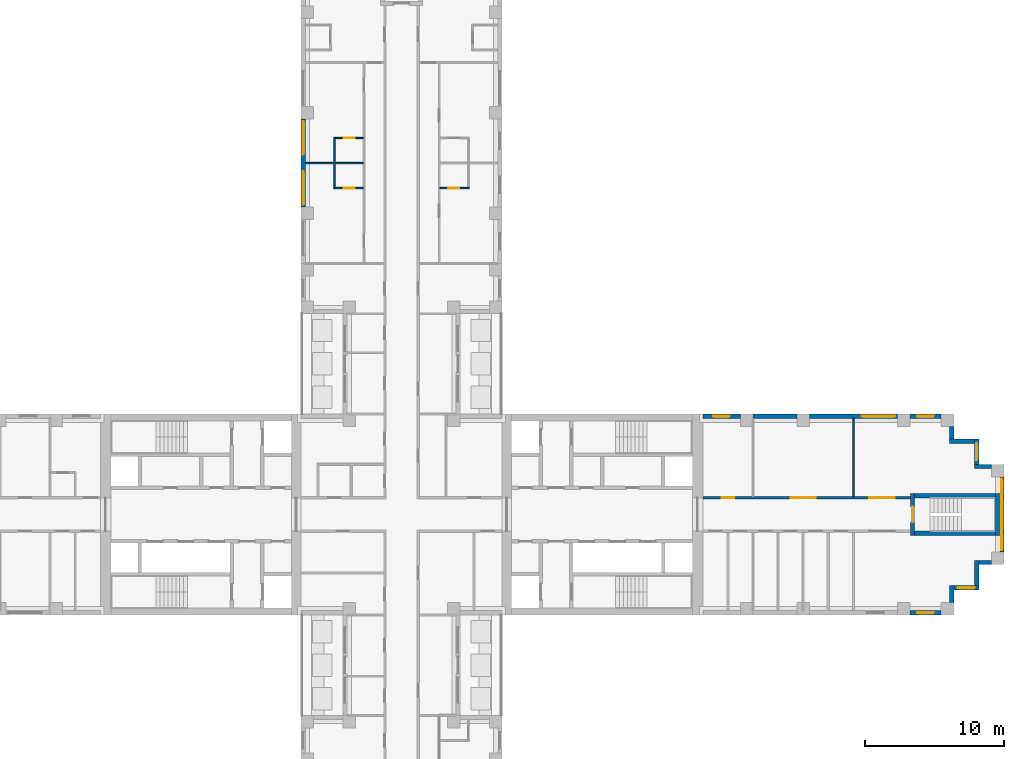
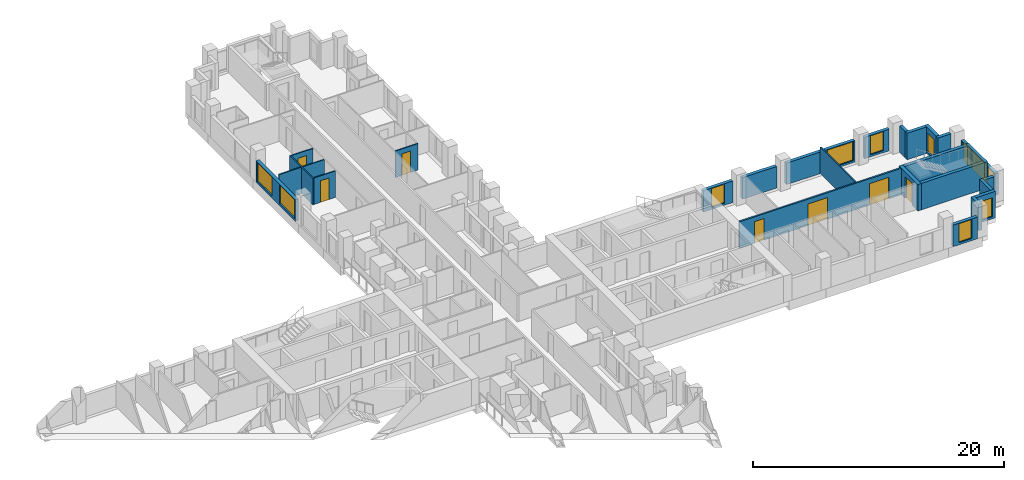
# One storey, part 11 of 16: 26 walls, 11 windows, 7 doors, 18 openings.
"""IFC4 building model written with IfcOpenShell, lengths in metres."""

from ifc_helpers import new_model, si_unit, direction, frame, frame_2d, origin, place, context, subcontext, project, spatial, rectangle, extrude, material, layer, layer_set, type_object, element, fill, save


model = new_model("IFC4")

# Units and contexts
model_context = context("Model", 3, precision=1e-05, world=origin(), true_north=direction((0.0, 1.0)))
body_context = subcontext(model_context, "Body", "Model", "MODEL_VIEW")
ifc_project = project(units=[si_unit("LENGTHUNIT", "METRE"), si_unit("AREAUNIT", "SQUARE_METRE"), si_unit("VOLUMEUNIT", "CUBIC_METRE"), si_unit("PLANEANGLEUNIT", "RADIAN"), si_unit("MASSUNIT", "GRAM", prefix="KILO")], contexts=[model_context])

# Site, building, storey
site_placement = place(None, origin())
site = spatial("IfcSite", under=ifc_project, at=site_placement, CompositionType="ELEMENT")
building_placement = place(site_placement, origin())
building = spatial("IfcBuilding", under=site, at=building_placement, Name="Fustian Cross Tower", CompositionType="ELEMENT")
storey_placement = place(building_placement, frame((0.0, 0.0, 26.699951171875)))
storey = spatial("IfcBuildingStorey", under=building, at=storey_placement, Name="L07", CompositionType="ELEMENT", Elevation=26.699951171875)

# Wall, openings, doors
ifc_material_1 = material(Name="Plasterboard on steel stud", Category="steel")
ifc_layer_1 = layer(ifc_material_1, 0.14990234375)
ifc_layer_set_1 = layer_set([ifc_layer_1], Name="Plasterboard on steel stud")
wall_type_1 = type_object("IfcWallType", Name="COMPARTMENT WALL 150 EI 60", PredefinedType="PARTITIONING", material=ifc_layer_set_1)
wall_1_placement = place(storey_placement, frame((21.60009765625, 1.199951171875, 0.0), z_axis=(0.0, 0.0, 1.0), x_axis=(1.0, 0.0, 0.0)))
wall_1 = element("IfcWall", 1, at=wall_1_placement, inside=storey, type_object=wall_type_1, Name="Partition 93", PredefinedType="PARTITIONING", context=body_context, shape_type="SweptSolid", body=[
    extrude(rectangle(XDim=14.89990234375, YDim=0.14990234375, at=frame_2d((7.449951171875, 0.0))), origin(), (0.0, 0.0, 1.0), 2.574951171875),
])
opening_1_placement = place(wall_1_placement, frame((1.35009765625, 0.0, 0.0)))
opening_1 = element("IfcOpeningElement", 2, at=opening_1_placement, cuts=wall_1, Name="Opening D05010", PredefinedType="OPENING", context=body_context, shape_type="SweptSolid", body=[
    extrude(rectangle(XDim=0.89990234375, YDim=2.10009765625, at=frame_2d((0.449951171875, 1.050048828125))), frame((0.0, 0.0849609375, 0.0), z_axis=(0.0, -1.0, 0.0), x_axis=(1.0, 0.0, 0.0)), (0.0, 0.0, 1.0), 0.169921875),
])
opening_2_placement = place(wall_1_placement, frame((6.300048828125, 0.0, 0.0)))
opening_2 = element("IfcOpeningElement", 3, at=opening_2_placement, cuts=wall_1, Name="Opening D05011", PredefinedType="OPENING", context=body_context, shape_type="SweptSolid", body=[
    extrude(rectangle(XDim=1.800048828125, YDim=2.10009765625, at=frame_2d((0.89990234375, 1.050048828125))), frame((0.0, 0.0849609375, 0.0), z_axis=(0.0, -1.0, 0.0), x_axis=(1.0, 0.0, 0.0)), (0.0, 0.0, 1.0), 0.169921875),
])
opening_3_placement = place(wall_1_placement, frame((11.949951171875, 0.0, 0.0)))
opening_3 = element("IfcOpeningElement", 4, at=opening_3_placement, cuts=wall_1, Name="Opening D05012", PredefinedType="OPENING", context=body_context, shape_type="SweptSolid", body=[
    extrude(rectangle(XDim=1.800048828125, YDim=2.10009765625, at=frame_2d((0.89990234375, 1.050048828125))), frame((0.0, 0.0849609375, 0.0), z_axis=(0.0, -1.0, 0.0), x_axis=(1.0, 0.0, 0.0)), (0.0, 0.0, 1.0), 0.169921875),
])
ifc_material_2 = material(Name="Timber fire door set", Category="wood")
door_type_1 = type_object("IfcDoorType", Name="FIRE DOUBLE DOOR 1800 FD30S", OperationType="DOUBLE_DOOR_DOUBLE_SWING", PredefinedType="DOOR", material=ifc_material_2)
door_1_placement = place(opening_2_placement, frame((1.800048828125, 0.0, 0.0), z_axis=(0.0, 0.0, 1.0), x_axis=(-1.0, 0.0, 0.0)))
door_1 = element("IfcDoor", 5, at=door_1_placement, inside=storey, type_object=door_type_1, Name="Door D05011", OperationType="DOUBLE_DOOR_DOUBLE_SWING", OverallHeight=2.10009765625, OverallWidth=1.800048828125, PredefinedType="DOOR", context=body_context, shape_type="SweptSolid", body=[
    extrude(rectangle(XDim=1.800048828125, YDim=2.10009765625, at=frame_2d((0.89990234375, 1.050048828125))), frame((0.0, 0.02490234375, 0.0), z_axis=(0.0, -1.0, 0.0), x_axis=(1.0, 0.0, 0.0)), (0.0, 0.0, 1.0), 0.050048828125),
])
fill(opening_2, door_1)
door_2_placement = place(opening_3_placement, frame((1.800048828125, 0.0, 0.0), z_axis=(0.0, 0.0, 1.0), x_axis=(-1.0, 0.0, 0.0)))
door_2 = element("IfcDoor", 6, at=door_2_placement, inside=storey, type_object=door_type_1, Name="Door D05012", OperationType="DOUBLE_DOOR_DOUBLE_SWING", OverallHeight=2.10009765625, OverallWidth=1.800048828125, PredefinedType="DOOR", context=body_context, shape_type="SweptSolid", body=[
    extrude(rectangle(XDim=1.800048828125, YDim=2.10009765625, at=frame_2d((0.89990234375, 1.050048828125))), frame((0.0, 0.02490234375, 0.0), z_axis=(0.0, -1.0, 0.0), x_axis=(1.0, 0.0, 0.0)), (0.0, 0.0, 1.0), 0.050048828125),
])
fill(opening_3, door_2)
ifc_material_3 = material(Name="Timber fire door set", Category="wood")
door_type_2 = type_object("IfcDoorType", Name="FIRE SWING DOOR 900 FD30S", OperationType="SINGLE_SWING_LEFT", PredefinedType="DOOR", material=ifc_material_3)
door_3_placement = place(opening_1_placement, origin())
door_3 = element("IfcDoor", 7, at=door_3_placement, inside=storey, type_object=door_type_2, Name="Door D05010", OperationType="SINGLE_SWING_LEFT", OverallHeight=2.10009765625, OverallWidth=0.89990234375, PredefinedType="DOOR", context=body_context, shape_type="SweptSolid", body=[
    extrude(rectangle(XDim=0.89990234375, YDim=2.10009765625, at=frame_2d((0.449951171875, 1.050048828125))), frame((0.0, 0.02490234375, 0.0), z_axis=(0.0, -1.0, 0.0), x_axis=(1.0, 0.0, 0.0)), (0.0, 0.0, 1.0), 0.050048828125),
])
fill(opening_1, door_3)

# Walls
ifc_material_4 = material(Name="Plasterboard on steel stud", Category="steel")
ifc_layer_2 = layer(ifc_material_4, 0.10009765625)
ifc_layer_set_2 = layer_set([ifc_layer_2], Name="Plasterboard on steel stud")
wall_type_2 = type_object("IfcWallType", Name="PARTITION 100 STUD", PredefinedType="PARTITIONING", material=ifc_layer_set_2)
wall_2_placement = place(storey_placement, frame((-6.89990234375, 25.199951171875, 0.0), z_axis=(0.0, 0.0, 1.0), x_axis=(1.0, 0.0, 0.0)))
element("IfcWall", 8, at=wall_2_placement, inside=storey, type_object=wall_type_2, Name="Partition 25", PredefinedType="PARTITIONING", context=body_context, shape_type="SweptSolid", body=[
    extrude(rectangle(XDim=4.14990234375, YDim=0.10009765625, at=frame_2d((2.074951171875, 0.0))), origin(), (0.0, 0.0, 1.0), 2.574951171875),
])
wall_3_placement = place(storey_placement, frame((-4.800048828125, 23.35009765625, 0.0), z_axis=(0.0, 0.0, 1.0), x_axis=(0.0, 1.0, 0.0)))
element("IfcWall", 9, at=wall_3_placement, inside=storey, type_object=wall_type_2, Name="Partition 39", PredefinedType="PARTITIONING", context=body_context, shape_type="SweptSolid", body=[
    extrude(rectangle(XDim=3.699951171875, YDim=0.10009765625, at=frame_2d((1.85009765625, 0.0))), origin(), (0.0, 0.0, 1.0), 2.574951171875),
])

# Wall, opening, door
wall_4_placement = place(storey_placement, frame((-4.75, 23.39990234375, 0.0), z_axis=(0.0, 0.0, 1.0), x_axis=(1.0, 0.0, 0.0)))
wall_4 = element("IfcWall", 10, at=wall_4_placement, inside=storey, type_object=wall_type_2, Name="Partition 40", PredefinedType="PARTITIONING", context=body_context, shape_type="SweptSolid", body=[
    extrude(rectangle(XDim=2.0, YDim=0.10009765625, at=frame_2d((1.0, 0.0))), origin(), (0.0, 0.0, 1.0), 2.574951171875),
])
opening_4_placement = place(wall_4_placement, frame((0.60009765625, 0.0, 0.0)))
opening_4 = element("IfcOpeningElement", 11, at=opening_4_placement, cuts=wall_4, Name="Opening D05028", PredefinedType="OPENING", context=body_context, shape_type="SweptSolid", body=[
    extrude(rectangle(XDim=0.800048828125, YDim=2.10009765625, at=frame_2d((0.39990234375, 1.050048828125))), frame((0.0, 0.06005859375, 0.0), z_axis=(0.0, -1.0, 0.0), x_axis=(1.0, 0.0, 0.0)), (0.0, 0.0, 1.0), 0.1201171875),
])
ifc_material_5 = material(Name="Painted timber", Category="wood")
door_type_3 = type_object("IfcDoorType", Name="SWING DOOR 800", OperationType="SINGLE_SWING_LEFT", PredefinedType="DOOR", material=ifc_material_5)
door_4_placement = place(opening_4_placement, origin())
door_4 = element("IfcDoor", 12, at=door_4_placement, inside=storey, type_object=door_type_3, Name="Door D05028", OperationType="SINGLE_SWING_LEFT", OverallHeight=2.10009765625, OverallWidth=0.800048828125, PredefinedType="DOOR", context=body_context, shape_type="SweptSolid", body=[
    extrude(rectangle(XDim=0.800048828125, YDim=2.10009765625, at=frame_2d((0.39990234375, 1.050048828125))), frame((0.0, 0.02490234375, 0.0), z_axis=(0.0, -1.0, 0.0), x_axis=(1.0, 0.0, 0.0)), (0.0, 0.0, 1.0), 0.050048828125),
])
fill(opening_4, door_4)

wall_5_placement = place(storey_placement, frame((-4.75, 27.0, 0.0), z_axis=(0.0, 0.0, 1.0), x_axis=(1.0, 0.0, 0.0)))
wall_5 = element("IfcWall", 13, at=wall_5_placement, inside=storey, type_object=wall_type_2, Name="Partition 41", PredefinedType="PARTITIONING", context=body_context, shape_type="SweptSolid", body=[
    extrude(rectangle(XDim=2.0, YDim=0.10009765625, at=frame_2d((1.0, 0.0))), origin(), (0.0, 0.0, 1.0), 2.574951171875),
])
opening_5_placement = place(wall_5_placement, frame((0.60009765625, 0.0, 0.0)))
opening_5 = element("IfcOpeningElement", 14, at=opening_5_placement, cuts=wall_5, Name="Opening D05029", PredefinedType="OPENING", context=body_context, shape_type="SweptSolid", body=[
    extrude(rectangle(XDim=0.800048828125, YDim=2.10009765625, at=frame_2d((0.39990234375, 1.050048828125))), frame((0.0, 0.06005859375, 0.0), z_axis=(0.0, -1.0, 0.0), x_axis=(1.0, 0.0, 0.0)), (0.0, 0.0, 1.0), 0.1201171875),
])
door_5_placement = place(opening_5_placement, frame((0.800048828125, 0.0, 0.0), z_axis=(0.0, 0.0, 1.0), x_axis=(-1.0, 0.0, 0.0)))
door_5 = element("IfcDoor", 15, at=door_5_placement, inside=storey, type_object=door_type_3, Name="Door D05029", OperationType="SINGLE_SWING_RIGHT", OverallHeight=2.10009765625, OverallWidth=0.800048828125, PredefinedType="DOOR", context=body_context, shape_type="SweptSolid", body=[
    extrude(rectangle(XDim=0.800048828125, YDim=2.10009765625, at=frame_2d((0.39990234375, 1.050048828125))), frame((0.0, 0.02490234375, 0.0), z_axis=(0.0, -1.0, 0.0), x_axis=(1.0, 0.0, 0.0)), (0.0, 0.0, 1.0), 0.050048828125),
])
fill(opening_5, door_5)

wall_6_placement = place(storey_placement, frame((2.75, 23.39990234375, 0.0), z_axis=(0.0, 0.0, 1.0), x_axis=(1.0, 0.0, 0.0)))
wall_6 = element("IfcWall", 16, at=wall_6_placement, inside=storey, type_object=wall_type_2, Name="Partition 76", PredefinedType="PARTITIONING", context=body_context, shape_type="SweptSolid", body=[
    extrude(rectangle(XDim=2.10009765625, YDim=0.10009765625, at=frame_2d((1.050048828125, 0.0))), origin(), (0.0, 0.0, 1.0), 2.574951171875),
])
opening_6_placement = place(wall_6_placement, frame((0.60009765625, 0.0, 0.0)))
opening_6 = element("IfcOpeningElement", 17, at=opening_6_placement, cuts=wall_6, Name="Opening D05037", PredefinedType="OPENING", context=body_context, shape_type="SweptSolid", body=[
    extrude(rectangle(XDim=0.800048828125, YDim=2.10009765625, at=frame_2d((0.39990234375, 1.050048828125))), frame((0.0, 0.06005859375, 0.0), z_axis=(0.0, -1.0, 0.0), x_axis=(1.0, 0.0, 0.0)), (0.0, 0.0, 1.0), 0.1201171875),
])
door_6_placement = place(opening_6_placement, origin())
door_6 = element("IfcDoor", 18, at=door_6_placement, inside=storey, type_object=door_type_3, Name="Door D05037", OperationType="SINGLE_SWING_LEFT", OverallHeight=2.10009765625, OverallWidth=0.800048828125, PredefinedType="DOOR", context=body_context, shape_type="SweptSolid", body=[
    extrude(rectangle(XDim=0.800048828125, YDim=2.10009765625, at=frame_2d((0.39990234375, 1.050048828125))), frame((0.0, 0.02490234375, 0.0), z_axis=(0.0, -1.0, 0.0), x_axis=(1.0, 0.0, 0.0)), (0.0, 0.0, 1.0), 0.050048828125),
])
fill(opening_6, door_6)

# Wall
wall_7_placement = place(storey_placement, frame((32.39990234375, 1.27490234375, 0.0), z_axis=(0.0, 0.0, 1.0), x_axis=(0.0, 1.0, 0.0)))
element("IfcWall", 19, at=wall_7_placement, inside=storey, type_object=wall_type_2, Name="Partition 101", PredefinedType="PARTITIONING", context=body_context, shape_type="SweptSolid", body=[
    extrude(rectangle(XDim=5.625, YDim=0.10009765625, at=frame_2d((2.8125, 0.0))), origin(), (0.0, 0.0, 1.0), 2.574951171875),
])

# Wall, opening, door
ifc_material_6 = material(Name="Concrete C50/60", Category="concrete")
ifc_layer_3 = layer(ifc_material_6, 0.300048828125)
ifc_layer_set_3 = layer_set([ifc_layer_3], Name="Concrete C50/60")
wall_type_3 = type_object("IfcWallType", Name="STAIR ENCLOSURE WALL 300 C50/60", PredefinedType="SHEAR", material=ifc_layer_set_3)
wall_8_placement = place(storey_placement, frame((36.64990234375, -1.5, 0.0), z_axis=(0.0, 0.0, 1.0), x_axis=(0.0, 1.0, 0.0)))
wall_8 = element("IfcWall", 20, at=wall_8_placement, inside=storey, type_object=wall_type_3, Name="Stair enclosure wall", PredefinedType="SHEAR", context=body_context, shape_type="SweptSolid", body=[
    extrude(rectangle(XDim=3.0, YDim=0.300048828125, at=frame_2d((1.5, 0.0))), origin(), (0.0, 0.0, 1.0), 2.574951171875),
])
opening_7_placement = place(wall_8_placement, frame((0.949951171875, 0.0, 0.0)))
opening_7 = element("IfcOpeningElement", 21, at=opening_7_placement, cuts=wall_8, Name="Opening CD-05-33", PredefinedType="OPENING", context=body_context, shape_type="SweptSolid", body=[
    extrude(rectangle(XDim=1.10009765625, YDim=2.10009765625, at=frame_2d((0.550048828125, 1.050048828125))), frame((0.0, 0.159912109375, 0.0), z_axis=(0.0, -1.0, 0.0), x_axis=(1.0, 0.0, 0.0)), (0.0, 0.0, 1.0), 0.320068359375),
])
ifc_material_7 = material(Name="Steel", Category="steel")
door_type_4 = type_object("IfcDoorType", Name="FIRE DOOR FD60S 1100X2100", OperationType="SINGLE_SWING_LEFT", PredefinedType="DOOR", material=ifc_material_7)
door_7_placement = place(opening_7_placement, frame((1.10009765625, 0.0, 0.0), z_axis=(0.0, 0.0, 1.0), x_axis=(-1.0, 0.0, 0.0)))
door_7 = element("IfcDoor", 22, at=door_7_placement, inside=storey, type_object=door_type_4, Name="Core door CD-05-33", OperationType="SINGLE_SWING_RIGHT", OverallHeight=2.10009765625, OverallWidth=1.10009765625, PredefinedType="DOOR", context=body_context, shape_type="SweptSolid", body=[
    extrude(rectangle(XDim=1.10009765625, YDim=2.10009765625, at=frame_2d((0.550048828125, 1.050048828125))), frame((0.0, 0.02490234375, 0.0), z_axis=(0.0, -1.0, 0.0), x_axis=(1.0, 0.0, 0.0)), (0.0, 0.0, 1.0), 0.050048828125),
])
fill(opening_7, door_7)

# Walls
wall_9_placement = place(storey_placement, frame((42.75, -1.5, 0.0), z_axis=(0.0, 0.0, 1.0), x_axis=(0.0, 1.0, 0.0)))
element("IfcWall", 23, at=wall_9_placement, inside=storey, type_object=wall_type_3, Name="Stair enclosure wall", PredefinedType="SHEAR", context=body_context, shape_type="SweptSolid", body=[
    extrude(rectangle(XDim=3.0, YDim=0.300048828125, at=frame_2d((1.5, 0.0))), origin(), (0.0, 0.0, 1.0), 2.574951171875),
])
for number, where, z_axis, x_axis, name in (
    (24, (36.800048828125, -1.35009765625, 0.0), (0.0, 0.0, 1.0), (1.0, 0.0, 0.0), "Stair enclosure wall"),
    (25, (36.800048828125, 1.35009765625, 0.0), (0.0, 0.0, 1.0), (1.0, 0.0, 0.0), "Stair enclosure wall"),
):
    element("IfcWall", number, at=place(storey_placement, frame(where, z_axis=z_axis, x_axis=x_axis)), inside=storey, type_object=wall_type_3, Name=name, PredefinedType="SHEAR", context=body_context, shape_type="SweptSolid", body=[
        extrude(rectangle(XDim=5.800048828125, YDim=0.300048828125, at=frame_2d((2.89990234375, 0.0))), origin(), (0.0, 0.0, 1.0), 2.574951171875),
    ])

# Wall, opening, window
ifc_material_8 = material(Name="Dark aluminium cladding on insulated backing wall", Category="aluminium")
ifc_layer_4 = layer(ifc_material_8, 0.300048828125)
ifc_layer_set_4 = layer_set([ifc_layer_4], Name="Dark aluminium cladding on insulated backing wall")
wall_type_4 = type_object("IfcWallType", Name="XW1 EXTERNAL WALL 300", PredefinedType="SOLIDWALL", material=ifc_layer_set_4)
wall_10_placement = place(storey_placement, frame((36.449951171875, -7.050048828125, 0.0), z_axis=(0.0, 0.0, 1.0), x_axis=(1.0, 0.0, 0.0)))
wall_10 = element("IfcWall", 26, at=wall_10_placement, inside=storey, type_object=wall_type_4, Name="External wall", PredefinedType="SOLIDWALL", context=body_context, shape_type="SweptSolid", body=[
    extrude(rectangle(XDim=2.25, YDim=0.300048828125, at=frame_2d((1.125, 0.0))), origin(), (0.0, 0.0, 1.0), 2.10009765625),
])
opening_8_placement = place(wall_10_placement, frame((0.52490234375, 0.0, 0.199951171875)))
opening_8 = element("IfcOpeningElement", 27, at=opening_8_placement, cuts=wall_10, Name="Opening WN3", PredefinedType="OPENING", context=body_context, shape_type="SweptSolid", body=[
    extrude(rectangle(XDim=1.199951171875, YDim=1.85009765625, at=frame_2d((0.60009765625, 0.925048828125))), frame((0.0, 0.159912109375, 0.0), z_axis=(0.0, -1.0, 0.0), x_axis=(1.0, 0.0, 0.0)), (0.0, 0.0, 1.0), 0.320068359375),
])
ifc_material_9 = material(Name="Dark anodised aluminium and double glazing", Category="aluminium")
window_type_1 = type_object("IfcWindowType", Name="WN3 WINDOW 1200X1850", PartitioningType="SINGLE_PANEL", PredefinedType="WINDOW", material=ifc_material_9)
window_1_placement = place(opening_8_placement, origin())
window_1 = element("IfcWindow", 28, at=window_1_placement, inside=storey, type_object=window_type_1, Name="Window", OverallHeight=1.85009765625, OverallWidth=1.199951171875, PartitioningType="SINGLE_PANEL", PredefinedType="WINDOW", context=body_context, shape_type="SweptSolid", body=[
    extrude(rectangle(XDim=1.199951171875, YDim=1.85009765625, at=frame_2d((0.60009765625, 0.925048828125))), frame((0.0, 0.030029296875, 0.0), z_axis=(0.0, -1.0, 0.0), x_axis=(1.0, 0.0, 0.0)), (0.0, 0.0, 1.0), 0.06005859375),
])
fill(opening_8, window_1)

# Wall
wall_11_placement = place(storey_placement, frame((39.449951171875, -6.300048828125, 0.0), z_axis=(0.0, 0.0, 1.0), x_axis=(0.0, 1.0, 0.0)))
element("IfcWall", 29, at=wall_11_placement, inside=storey, type_object=wall_type_4, Name="External wall", PredefinedType="SOLIDWALL", context=body_context, shape_type="SweptSolid", body=[
    extrude(rectangle(XDim=1.199951171875, YDim=0.300048828125, at=frame_2d((0.60009765625, 0.0))), origin(), (0.0, 0.0, 1.0), 2.574951171875),
])

# Wall, opening, window
wall_12_placement = place(storey_placement, frame((39.60009765625, -5.25, 0.0), z_axis=(0.0, 0.0, 1.0), x_axis=(1.0, 0.0, 0.0)))
wall_12 = element("IfcWall", 30, at=wall_12_placement, inside=storey, type_object=wall_type_4, Name="External wall", PredefinedType="SOLIDWALL", context=body_context, shape_type="SweptSolid", body=[
    extrude(rectangle(XDim=1.7998046875, YDim=0.300048828125, at=frame_2d((0.89990234375, 0.0))), origin(), (0.0, 0.0, 1.0), 2.574951171875),
])
opening_9_placement = place(wall_12_placement, frame((0.300048828125, 0.0, 0.199951171875)))
opening_9 = element("IfcOpeningElement", 31, at=opening_9_placement, cuts=wall_12, Name="Opening WN3", PredefinedType="OPENING", context=body_context, shape_type="SweptSolid", body=[
    extrude(rectangle(XDim=1.199951171875, YDim=1.85009765625, at=frame_2d((0.60009765625, 0.925048828125))), frame((0.0, 0.159912109375, 0.0), z_axis=(0.0, -1.0, 0.0), x_axis=(1.0, 0.0, 0.0)), (0.0, 0.0, 1.0), 0.320068359375),
])
window_2_placement = place(opening_9_placement, origin())
window_2 = element("IfcWindow", 32, at=window_2_placement, inside=storey, type_object=window_type_1, Name="Window", OverallHeight=1.85009765625, OverallWidth=1.199951171875, PartitioningType="SINGLE_PANEL", PredefinedType="WINDOW", context=body_context, shape_type="SweptSolid", body=[
    extrude(rectangle(XDim=1.199951171875, YDim=1.85009765625, at=frame_2d((0.60009765625, 0.925048828125))), frame((0.0, 0.030029296875, 0.0), z_axis=(0.0, -1.0, 0.0), x_axis=(1.0, 0.0, 0.0)), (0.0, 0.0, 1.0), 0.06005859375),
])
fill(opening_9, window_2)

# Walls
wall_13_placement = place(storey_placement, frame((41.25, -5.10009765625, 0.0), z_axis=(0.0, 0.0, 1.0), x_axis=(0.0, 1.0, 0.0)))
element("IfcWall", 33, at=wall_13_placement, inside=storey, type_object=wall_type_4, Name="External wall", PredefinedType="SOLIDWALL", context=body_context, shape_type="SweptSolid", body=[
    extrude(rectangle(XDim=1.800048828125, YDim=0.300048828125, at=frame_2d((0.89990234375, 0.0))), origin(), (0.0, 0.0, 1.0), 2.574951171875),
])
wall_14_placement = place(storey_placement, frame((41.39990234375, -3.449951171875, 0.0), z_axis=(0.0, 0.0, 1.0), x_axis=(1.0, 0.0, 0.0)))
element("IfcWall", 34, at=wall_14_placement, inside=storey, type_object=wall_type_4, Name="External wall", PredefinedType="SOLIDWALL", context=body_context, shape_type="SweptSolid", body=[
    extrude(rectangle(XDim=0.900146484375, YDim=0.300048828125, at=frame_2d((0.4501953125, 0.0))), origin(), (0.0, 0.0, 1.0), 2.574951171875),
])

# Wall, openings, windows
wall_15_placement = place(storey_placement, frame((43.050048828125, -2.699951171875, 0.0), z_axis=(0.0, 0.0, 1.0), x_axis=(0.0, 1.0, 0.0)))
wall_15 = element("IfcWall", 35, at=wall_15_placement, inside=storey, type_object=wall_type_4, Name="External wall", PredefinedType="SOLIDWALL", context=body_context, shape_type="SweptSolid", body=[
    extrude(rectangle(XDim=5.39990234375, YDim=0.300048828125, at=frame_2d((2.699951171875, 0.0))), origin(), (0.0, 0.0, 1.0), 2.10009765625),
])
opening_10_placement = place(wall_15_placement, frame((1.5, 0.0, 0.199951171875)))
opening_10 = element("IfcOpeningElement", 36, at=opening_10_placement, cuts=wall_15, Name="Opening WN1", PredefinedType="OPENING", context=body_context, shape_type="SweptSolid", body=[
    extrude(rectangle(XDim=2.39990234375, YDim=1.85009765625, at=frame_2d((1.199951171875, 0.925048828125))), frame((0.0, 0.159912109375, 0.0), z_axis=(0.0, -1.0, 0.0), x_axis=(1.0, 0.0, 0.0)), (0.0, 0.0, 1.0), 0.320068359375),
])
opening_11_placement = place(wall_15_placement, frame((0.14990234375, 0.0, 0.199951171875)))
opening_11 = element("IfcOpeningElement", 37, at=opening_11_placement, cuts=wall_15, Name="Opening WN3", PredefinedType="OPENING", context=body_context, shape_type="SweptSolid", body=[
    extrude(rectangle(XDim=1.199951171875, YDim=1.85009765625, at=frame_2d((0.60009765625, 0.925048828125))), frame((0.0, 0.159912109375, 0.0), z_axis=(0.0, -1.0, 0.0), x_axis=(1.0, 0.0, 0.0)), (0.0, 0.0, 1.0), 0.320068359375),
])
opening_12_placement = place(wall_15_placement, frame((4.050048828125, 0.0, 0.199951171875)))
opening_12 = element("IfcOpeningElement", 38, at=opening_12_placement, cuts=wall_15, Name="Opening WN3", PredefinedType="OPENING", context=body_context, shape_type="SweptSolid", body=[
    extrude(rectangle(XDim=1.199951171875, YDim=1.85009765625, at=frame_2d((0.60009765625, 0.925048828125))), frame((0.0, 0.159912109375, 0.0), z_axis=(0.0, -1.0, 0.0), x_axis=(1.0, 0.0, 0.0)), (0.0, 0.0, 1.0), 0.320068359375),
])
ifc_material_10 = material(Name="Dark anodised aluminium and double glazing", Category="aluminium")
window_type_2 = type_object("IfcWindowType", Name="WN1 WINDOW 2400X1850", PartitioningType="SINGLE_PANEL", PredefinedType="WINDOW", material=ifc_material_10)
window_3_placement = place(opening_10_placement, origin())
window_3 = element("IfcWindow", 39, at=window_3_placement, inside=storey, type_object=window_type_2, Name="Window", OverallHeight=1.85009765625, OverallWidth=2.39990234375, PartitioningType="SINGLE_PANEL", PredefinedType="WINDOW", context=body_context, shape_type="SweptSolid", body=[
    extrude(rectangle(XDim=2.39990234375, YDim=1.85009765625, at=frame_2d((1.199951171875, 0.925048828125))), frame((0.0, 0.030029296875, 0.0), z_axis=(0.0, -1.0, 0.0), x_axis=(1.0, 0.0, 0.0)), (0.0, 0.0, 1.0), 0.06005859375),
])
fill(opening_10, window_3)
window_4_placement = place(opening_11_placement, origin())
window_4 = element("IfcWindow", 40, at=window_4_placement, inside=storey, type_object=window_type_1, Name="Window", OverallHeight=1.85009765625, OverallWidth=1.199951171875, PartitioningType="SINGLE_PANEL", PredefinedType="WINDOW", context=body_context, shape_type="SweptSolid", body=[
    extrude(rectangle(XDim=1.199951171875, YDim=1.85009765625, at=frame_2d((0.60009765625, 0.925048828125))), frame((0.0, 0.030029296875, 0.0), z_axis=(0.0, -1.0, 0.0), x_axis=(1.0, 0.0, 0.0)), (0.0, 0.0, 1.0), 0.06005859375),
])
fill(opening_11, window_4)
window_5_placement = place(opening_12_placement, origin())
window_5 = element("IfcWindow", 41, at=window_5_placement, inside=storey, type_object=window_type_1, Name="Window", OverallHeight=1.85009765625, OverallWidth=1.199951171875, PartitioningType="SINGLE_PANEL", PredefinedType="WINDOW", context=body_context, shape_type="SweptSolid", body=[
    extrude(rectangle(XDim=1.199951171875, YDim=1.85009765625, at=frame_2d((0.60009765625, 0.925048828125))), frame((0.0, 0.030029296875, 0.0), z_axis=(0.0, -1.0, 0.0), x_axis=(1.0, 0.0, 0.0)), (0.0, 0.0, 1.0), 0.06005859375),
])
fill(opening_12, window_5)

# Wall
wall_16_placement = place(storey_placement, frame((42.300048828125, 3.449951171875, 0.0), z_axis=(0.0, 0.0, 1.0), x_axis=(-1.0, 0.0, 0.0)))
element("IfcWall", 42, at=wall_16_placement, inside=storey, type_object=wall_type_4, Name="External wall", PredefinedType="SOLIDWALL", context=body_context, shape_type="SweptSolid", body=[
    extrude(rectangle(XDim=1.199951171875, YDim=0.300048828125, at=frame_2d((0.60009765625, 0.0))), origin(), (0.0, 0.0, 1.0), 2.574951171875),
])

# Wall, opening, window
wall_17_placement = place(storey_placement, frame((41.25, 3.60009765625, 0.0), z_axis=(0.0, 0.0, 1.0), x_axis=(0.0, 1.0, 0.0)))
wall_17 = element("IfcWall", 43, at=wall_17_placement, inside=storey, type_object=wall_type_4, Name="External wall", PredefinedType="SOLIDWALL", context=body_context, shape_type="SweptSolid", body=[
    extrude(rectangle(XDim=1.7998046875, YDim=0.300048828125, at=frame_2d((0.89990234375, 0.0))), origin(), (0.0, 0.0, 1.0), 2.574951171875),
])
opening_13_placement = place(wall_17_placement, frame((0.300048828125, 0.0, 0.199951171875)))
opening_13 = element("IfcOpeningElement", 44, at=opening_13_placement, cuts=wall_17, Name="Opening WN3", PredefinedType="OPENING", context=body_context, shape_type="SweptSolid", body=[
    extrude(rectangle(XDim=1.199951171875, YDim=1.85009765625, at=frame_2d((0.60009765625, 0.925048828125))), frame((0.0, 0.159912109375, 0.0), z_axis=(0.0, -1.0, 0.0), x_axis=(1.0, 0.0, 0.0)), (0.0, 0.0, 1.0), 0.320068359375),
])
window_6_placement = place(opening_13_placement, origin())
window_6 = element("IfcWindow", 45, at=window_6_placement, inside=storey, type_object=window_type_1, Name="Window", OverallHeight=1.85009765625, OverallWidth=1.199951171875, PartitioningType="SINGLE_PANEL", PredefinedType="WINDOW", context=body_context, shape_type="SweptSolid", body=[
    extrude(rectangle(XDim=1.199951171875, YDim=1.85009765625, at=frame_2d((0.60009765625, 0.925048828125))), frame((0.0, 0.030029296875, 0.0), z_axis=(0.0, -1.0, 0.0), x_axis=(1.0, 0.0, 0.0)), (0.0, 0.0, 1.0), 0.06005859375),
])
fill(opening_13, window_6)

# Walls
wall_18_placement = place(storey_placement, frame((41.10009765625, 5.25, 0.0), z_axis=(0.0, 0.0, 1.0), x_axis=(-1.0, 0.0, 0.0)))
element("IfcWall", 46, at=wall_18_placement, inside=storey, type_object=wall_type_4, Name="External wall", PredefinedType="SOLIDWALL", context=body_context, shape_type="SweptSolid", body=[
    extrude(rectangle(XDim=1.800048828125, YDim=0.300048828125, at=frame_2d((0.89990234375, 0.0))), origin(), (0.0, 0.0, 1.0), 2.574951171875),
])
wall_19_placement = place(storey_placement, frame((39.449951171875, 5.39990234375, 0.0), z_axis=(0.0, 0.0, 1.0), x_axis=(0.0, 1.0, 0.0)))
element("IfcWall", 47, at=wall_19_placement, inside=storey, type_object=wall_type_4, Name="External wall", PredefinedType="SOLIDWALL", context=body_context, shape_type="SweptSolid", body=[
    extrude(rectangle(XDim=0.900146484375, YDim=0.300048828125, at=frame_2d((0.4501953125, 0.0))), origin(), (0.0, 0.0, 1.0), 2.574951171875),
])

# Wall, opening, window
wall_20_placement = place(storey_placement, frame((38.699951171875, 7.050048828125, 0.0), z_axis=(0.0, 0.0, 1.0), x_axis=(-1.0, 0.0, 0.0)))
wall_20 = element("IfcWall", 48, at=wall_20_placement, inside=storey, type_object=wall_type_4, Name="External wall", PredefinedType="SOLIDWALL", context=body_context, shape_type="SweptSolid", body=[
    extrude(rectangle(XDim=2.25, YDim=0.300048828125, at=frame_2d((1.125, 0.0))), origin(), (0.0, 0.0, 1.0), 2.10009765625),
])
opening_14_placement = place(wall_20_placement, frame((0.52490234375, 0.0, 0.199951171875)))
opening_14 = element("IfcOpeningElement", 49, at=opening_14_placement, cuts=wall_20, Name="Opening WN3", PredefinedType="OPENING", context=body_context, shape_type="SweptSolid", body=[
    extrude(rectangle(XDim=1.199951171875, YDim=1.85009765625, at=frame_2d((0.60009765625, 0.925048828125))), frame((0.0, 0.159912109375, 0.0), z_axis=(0.0, -1.0, 0.0), x_axis=(1.0, 0.0, 0.0)), (0.0, 0.0, 1.0), 0.320068359375),
])
window_7_placement = place(opening_14_placement, origin())
window_7 = element("IfcWindow", 50, at=window_7_placement, inside=storey, type_object=window_type_1, Name="Window", OverallHeight=1.85009765625, OverallWidth=1.199951171875, PartitioningType="SINGLE_PANEL", PredefinedType="WINDOW", context=body_context, shape_type="SweptSolid", body=[
    extrude(rectangle(XDim=1.199951171875, YDim=1.85009765625, at=frame_2d((0.60009765625, 0.925048828125))), frame((0.0, 0.030029296875, 0.0), z_axis=(0.0, -1.0, 0.0), x_axis=(1.0, 0.0, 0.0)), (0.0, 0.0, 1.0), 0.06005859375),
])
fill(opening_14, window_7)

wall_21_placement = place(storey_placement, frame((35.550048828125, 7.050048828125, 0.0), z_axis=(0.0, 0.0, 1.0), x_axis=(-1.0, 0.0, 0.0)))
wall_21 = element("IfcWall", 51, at=wall_21_placement, inside=storey, type_object=wall_type_4, Name="External wall", PredefinedType="SOLIDWALL", context=body_context, shape_type="SweptSolid", body=[
    extrude(rectangle(XDim=6.300048828125, YDim=0.300048828125, at=frame_2d((3.14990234375, 0.0))), origin(), (0.0, 0.0, 1.0), 2.10009765625),
])
opening_15_placement = place(wall_21_placement, frame((0.14990234375, 0.0, 0.199951171875)))
opening_15 = element("IfcOpeningElement", 52, at=opening_15_placement, cuts=wall_21, Name="Opening WN1", PredefinedType="OPENING", context=body_context, shape_type="SweptSolid", body=[
    extrude(rectangle(XDim=2.39990234375, YDim=1.85009765625, at=frame_2d((1.199951171875, 0.925048828125))), frame((0.0, 0.159912109375, 0.0), z_axis=(0.0, -1.0, 0.0), x_axis=(1.0, 0.0, 0.0)), (0.0, 0.0, 1.0), 0.320068359375),
])
window_8_placement = place(opening_15_placement, origin())
window_8 = element("IfcWindow", 53, at=window_8_placement, inside=storey, type_object=window_type_2, Name="Window", OverallHeight=1.85009765625, OverallWidth=2.39990234375, PartitioningType="SINGLE_PANEL", PredefinedType="WINDOW", context=body_context, shape_type="SweptSolid", body=[
    extrude(rectangle(XDim=2.39990234375, YDim=1.85009765625, at=frame_2d((1.199951171875, 0.925048828125))), frame((0.0, 0.030029296875, 0.0), z_axis=(0.0, -1.0, 0.0), x_axis=(1.0, 0.0, 0.0)), (0.0, 0.0, 1.0), 0.06005859375),
])
fill(opening_15, window_8)

# Wall
wall_22_placement = place(storey_placement, frame((28.35009765625, 7.050048828125, 0.0), z_axis=(0.0, 0.0, 1.0), x_axis=(-1.0, 0.0, 0.0)))
element("IfcWall", 54, at=wall_22_placement, inside=storey, type_object=wall_type_4, Name="External wall", PredefinedType="SOLIDWALL", context=body_context, shape_type="SweptSolid", body=[
    extrude(rectangle(XDim=3.150146484375, YDim=0.300048828125, at=frame_2d((1.5751953125, 0.0))), origin(), (0.0, 0.0, 1.0), 2.10009765625),
])

# Wall, opening, window
wall_23_placement = place(storey_placement, frame((24.300048828125, 7.050048828125, 0.0), z_axis=(0.0, 0.0, 1.0), x_axis=(-1.0, 0.0, 0.0)))
wall_23 = element("IfcWall", 55, at=wall_23_placement, inside=storey, type_object=wall_type_4, Name="External wall", PredefinedType="SOLIDWALL", context=body_context, shape_type="SweptSolid", body=[
    extrude(rectangle(XDim=2.699951171875, YDim=0.300048828125, at=frame_2d((1.35009765625, 0.0))), origin(), (0.0, 0.0, 1.0), 2.10009765625),
])
opening_16_placement = place(wall_23_placement, frame((0.75, 0.0, 0.199951171875)))
opening_16 = element("IfcOpeningElement", 56, at=opening_16_placement, cuts=wall_23, Name="Opening WN3", PredefinedType="OPENING", context=body_context, shape_type="SweptSolid", body=[
    extrude(rectangle(XDim=1.199951171875, YDim=1.85009765625, at=frame_2d((0.60009765625, 0.925048828125))), frame((0.0, 0.159912109375, 0.0), z_axis=(0.0, -1.0, 0.0), x_axis=(1.0, 0.0, 0.0)), (0.0, 0.0, 1.0), 0.320068359375),
])
window_9_placement = place(opening_16_placement, origin())
window_9 = element("IfcWindow", 57, at=window_9_placement, inside=storey, type_object=window_type_1, Name="Window", OverallHeight=1.85009765625, OverallWidth=1.199951171875, PartitioningType="SINGLE_PANEL", PredefinedType="WINDOW", context=body_context, shape_type="SweptSolid", body=[
    extrude(rectangle(XDim=1.199951171875, YDim=1.85009765625, at=frame_2d((0.60009765625, 0.925048828125))), frame((0.0, 0.030029296875, 0.0), z_axis=(0.0, -1.0, 0.0), x_axis=(1.0, 0.0, 0.0)), (0.0, 0.0, 1.0), 0.06005859375),
])
fill(opening_16, window_9)

# Wall, openings, windows
wall_24_placement = place(storey_placement, frame((-7.050048828125, 28.35009765625, 0.0), z_axis=(0.0, 0.0, 1.0), x_axis=(0.0, -1.0, 0.0)))
wall_24 = element("IfcWall", 58, at=wall_24_placement, inside=storey, type_object=wall_type_4, Name="External wall", PredefinedType="SOLIDWALL", context=body_context, shape_type="SweptSolid", body=[
    extrude(rectangle(XDim=6.300048828125, YDim=0.300048828125, at=frame_2d((3.14990234375, 0.0))), origin(), (0.0, 0.0, 1.0), 2.10009765625),
])
opening_17_placement = place(wall_24_placement, frame((0.14990234375, 0.0, 0.199951171875)))
opening_17 = element("IfcOpeningElement", 59, at=opening_17_placement, cuts=wall_24, Name="Opening WN1", PredefinedType="OPENING", context=body_context, shape_type="SweptSolid", body=[
    extrude(rectangle(XDim=2.39990234375, YDim=1.85009765625, at=frame_2d((1.199951171875, 0.925048828125))), frame((0.0, 0.159912109375, 0.0), z_axis=(0.0, -1.0, 0.0), x_axis=(1.0, 0.0, 0.0)), (0.0, 0.0, 1.0), 0.320068359375),
])
opening_18_placement = place(wall_24_placement, frame((3.75, 0.0, 0.199951171875)))
opening_18 = element("IfcOpeningElement", 60, at=opening_18_placement, cuts=wall_24, Name="Opening WN1", PredefinedType="OPENING", context=body_context, shape_type="SweptSolid", body=[
    extrude(rectangle(XDim=2.39990234375, YDim=1.85009765625, at=frame_2d((1.199951171875, 0.925048828125))), frame((0.0, 0.159912109375, 0.0), z_axis=(0.0, -1.0, 0.0), x_axis=(1.0, 0.0, 0.0)), (0.0, 0.0, 1.0), 0.320068359375),
])
window_10_placement = place(opening_17_placement, origin())
window_10 = element("IfcWindow", 61, at=window_10_placement, inside=storey, type_object=window_type_2, Name="Window", OverallHeight=1.85009765625, OverallWidth=2.39990234375, PartitioningType="SINGLE_PANEL", PredefinedType="WINDOW", context=body_context, shape_type="SweptSolid", body=[
    extrude(rectangle(XDim=2.39990234375, YDim=1.85009765625, at=frame_2d((1.199951171875, 0.925048828125))), frame((0.0, 0.030029296875, 0.0), z_axis=(0.0, -1.0, 0.0), x_axis=(1.0, 0.0, 0.0)), (0.0, 0.0, 1.0), 0.06005859375),
])
fill(opening_17, window_10)
window_11_placement = place(opening_18_placement, origin())
window_11 = element("IfcWindow", 62, at=window_11_placement, inside=storey, type_object=window_type_2, Name="Window", OverallHeight=1.85009765625, OverallWidth=2.39990234375, PartitioningType="SINGLE_PANEL", PredefinedType="WINDOW", context=body_context, shape_type="SweptSolid", body=[
    extrude(rectangle(XDim=2.39990234375, YDim=1.85009765625, at=frame_2d((1.199951171875, 0.925048828125))), frame((0.0, 0.030029296875, 0.0), z_axis=(0.0, -1.0, 0.0), x_axis=(1.0, 0.0, 0.0)), (0.0, 0.0, 1.0), 0.06005859375),
])
fill(opening_18, window_11)

save(model, "model.ifc")
